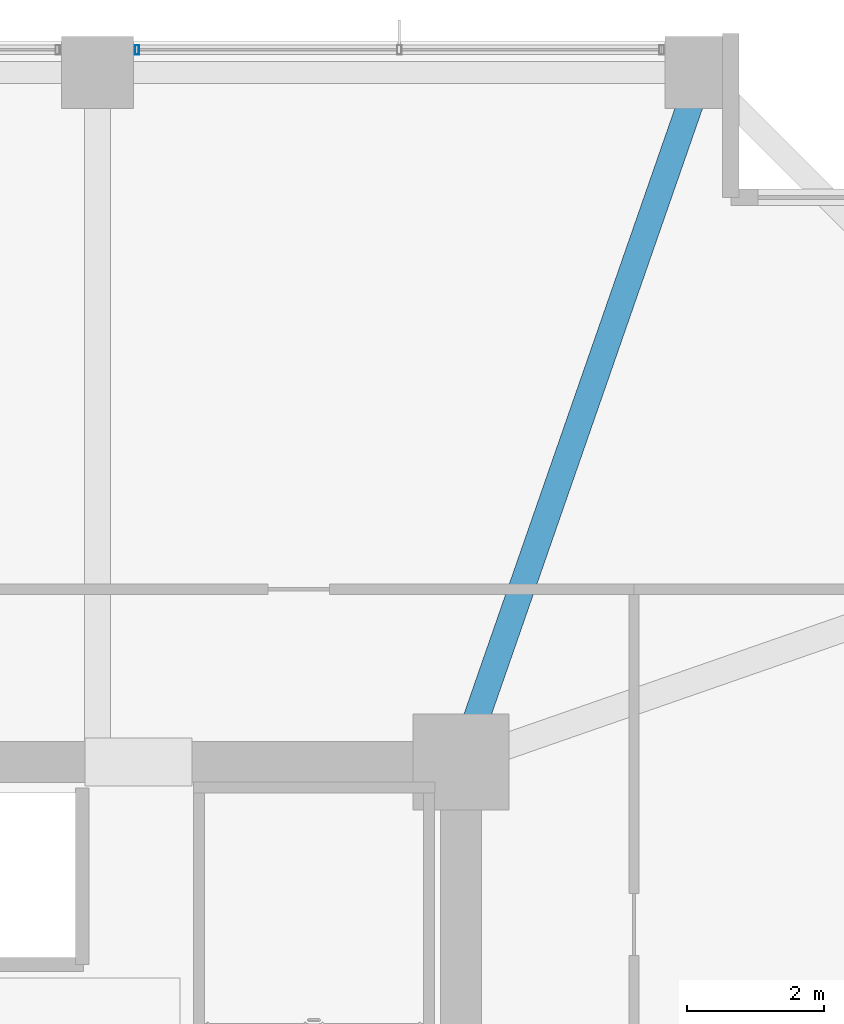
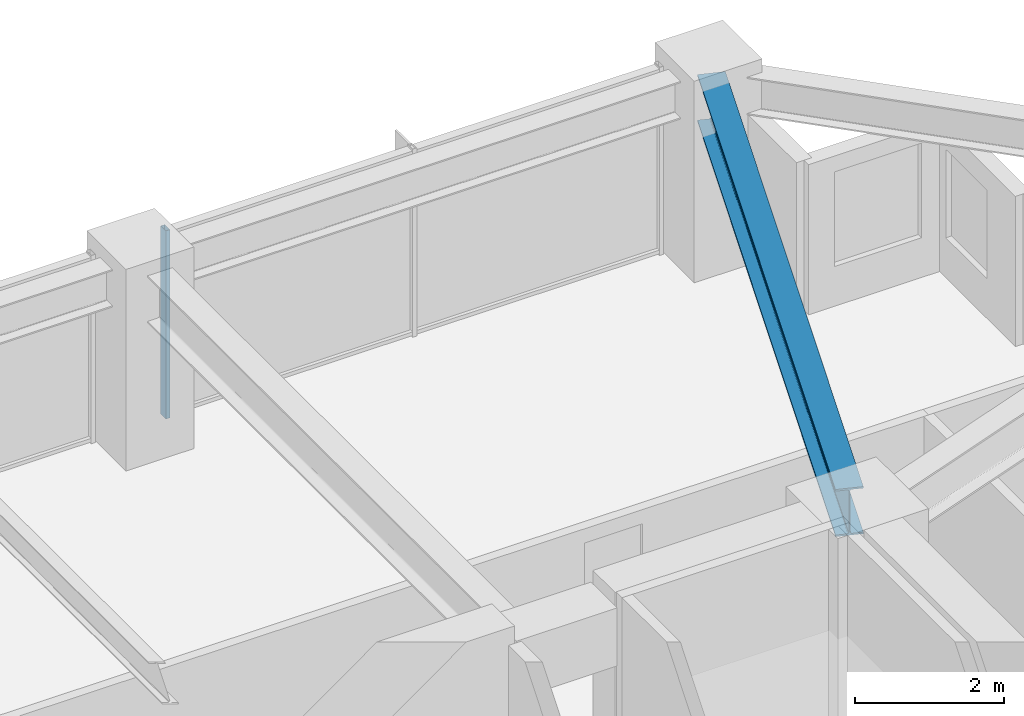
# One storey, part 22 of 36: 1 beam, 1 member, 1 element without a shape of its own.
"""IFC4 building model written with IfcOpenShell, lengths in metres."""

from ifc_helpers import new_model, si_unit, direction, frame, origin, origin_2d, place, context, subcontext, project, spatial, hollow_rectangle, i_section, extrude, material, material_profile, profile_set, type_object, element, aggregate, save


model = new_model("IFC4")

# Units and contexts
model_context = context("Model", 3, precision=1e-05, world=origin(), true_north=direction((0.0, 1.0)))
body_context = subcontext(model_context, "Body", "Model", "MODEL_VIEW")
ifc_project = project(units=[si_unit("LENGTHUNIT", "METRE"), si_unit("AREAUNIT", "SQUARE_METRE"), si_unit("VOLUMEUNIT", "CUBIC_METRE"), si_unit("PLANEANGLEUNIT", "RADIAN"), si_unit("MASSUNIT", "GRAM", prefix="KILO")], contexts=[model_context])

# Site, building, storey
site_placement = place(None, origin())
site = spatial("IfcSite", under=ifc_project, at=site_placement, CompositionType="ELEMENT")
building_placement = place(site_placement, origin())
building = spatial("IfcBuilding", under=site, at=building_placement, Name="Kolvaren Belvedere", CompositionType="ELEMENT")
storey_placement = place(building_placement, frame((0.0, 0.0, 95.300048828125)))
storey = spatial("IfcBuildingStorey", under=building, at=storey_placement, Name="L27", CompositionType="ELEMENT", Elevation=95.300048828125)

# Beam
ifc_material_1 = material(Name="Structural steel ASTM A992 Grade 50", Category="steel")
ifc_material_profile_1 = material_profile(ifc_material_1, i_section(OverallWidth=0.381103515625, OverallDepth=0.77294921875, WebThickness=0.0166015625, FlangeThickness=0.027099609375, FilletRadius=0.02392578125, at=origin_2d()), Name="W30X173")
ifc_profile_set_1 = profile_set([ifc_material_profile_1], Name="Structural steel ASTM A992 Grade 50")
beam_type = type_object("IfcBeamType", Name="BM-GIRD-W30X173", PredefinedType="BEAM", material=ifc_profile_set_1)
beam_placement = place(storey_placement, frame((10.080810546875, 10.41943359375, 2.693359375), z_axis=(0.328880894453, 0.944371408538, 0.0), x_axis=(-0.944371408538, 0.328880894453, 0.0)))
element("IfcBeam", 1, at=beam_placement, inside=storey, type_object=beam_type, Name="L27 Corner Core-to-Perimeter Girder CC3-N4", PredefinedType="BEAM", context=body_context, shape_type="SweptSolid", body=[
    extrude(i_section(OverallWidth=0.381103515625, OverallDepth=0.77294921875, WebThickness=0.0166015625, FlangeThickness=0.027099609375, FilletRadius=0.02392578125, at=origin_2d()), origin(), (0.0, 0.0, 1.0), 9.882080078125),
])

# Curtain wall, member
ifc_material_2 = material(Name="Anodised pale-metal aluminium AA 6063-T6", Category="aluminium")
curtain_wall_type = type_object("IfcCurtainWallType", Name="CW-Z2-MID", PredefinedType="NOTDEFINED", material=ifc_material_2)
curtain_wall_placement = place(storey_placement, origin())
curtain_wall = element("IfcCurtainWall", 2, at=curtain_wall_placement, inside=storey, type_object=curtain_wall_type, Name="L27 Unitised Curtain Wall FCW-L27-N-B3", PredefinedType="NOTDEFINED")
ifc_material_3 = material(Name="Anodised pale-metal aluminium AA 6063-T6", Category="aluminium")
ifc_material_profile_2 = material_profile(ifc_material_3, hollow_rectangle(XDim=0.06494140625, YDim=0.139892578125, WallThickness=0.00390625, at=origin_2d()), Name="ALU-MUL-140X65")
ifc_profile_set_2 = profile_set([ifc_material_profile_2], Name="Anodised pale-metal aluminium AA 6063-T6")
member_type = type_object("IfcMemberType", Name="CW-MUL-140", PredefinedType="MULLION", material=ifc_profile_set_2)
member_placement = place(storey_placement, frame((5.177490234375, 20.280029296875, 0.0), z_axis=(0.0, 0.0, 1.0), x_axis=(1.0, 0.0, 0.0)))
member = element("IfcMember", 3, at=member_placement, type_object=member_type, Name="FCW-L27-N-B3 Unitised Mullion 1", PredefinedType="MULLION", context=body_context, shape_type="SweptSolid", body=[
    extrude(hollow_rectangle(XDim=0.06494140625, YDim=0.139892578125, WallThickness=0.00390625, at=origin_2d()), origin(), (0.0, 0.0, 1.0), 3.079833984375),
])
aggregate(curtain_wall, [member])

save(model, "model.ifc")
